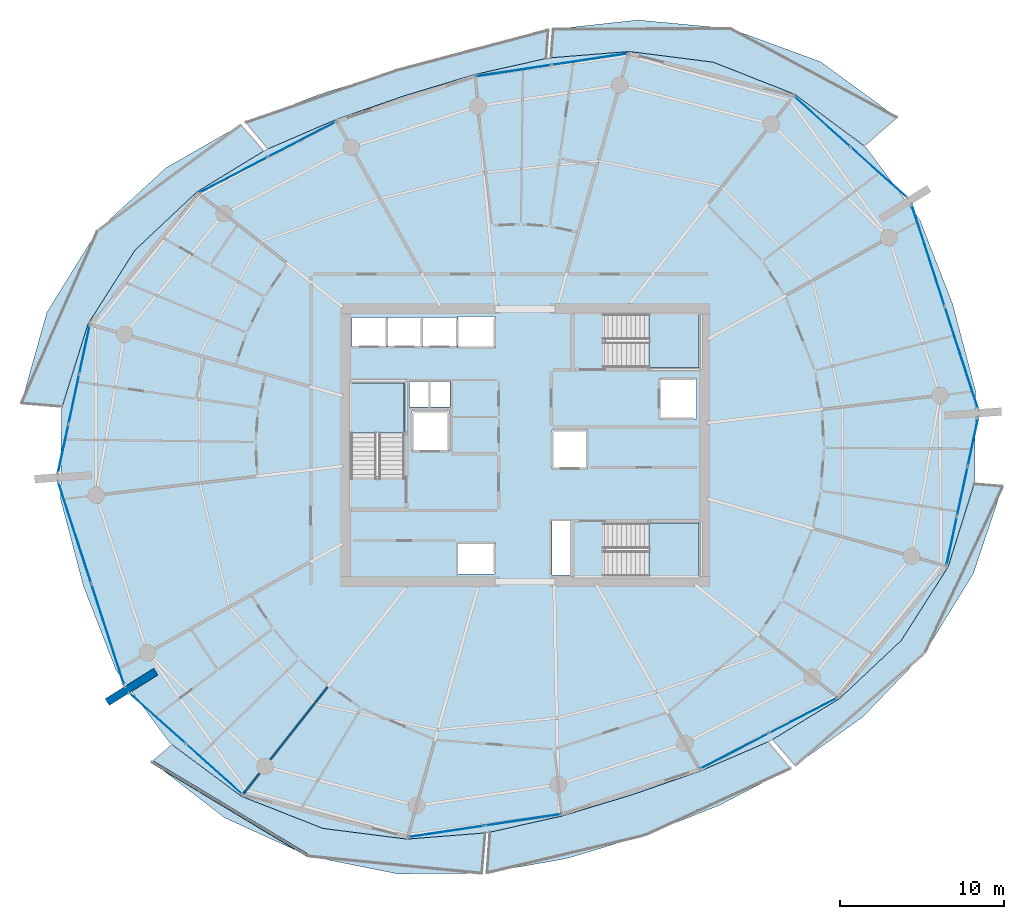
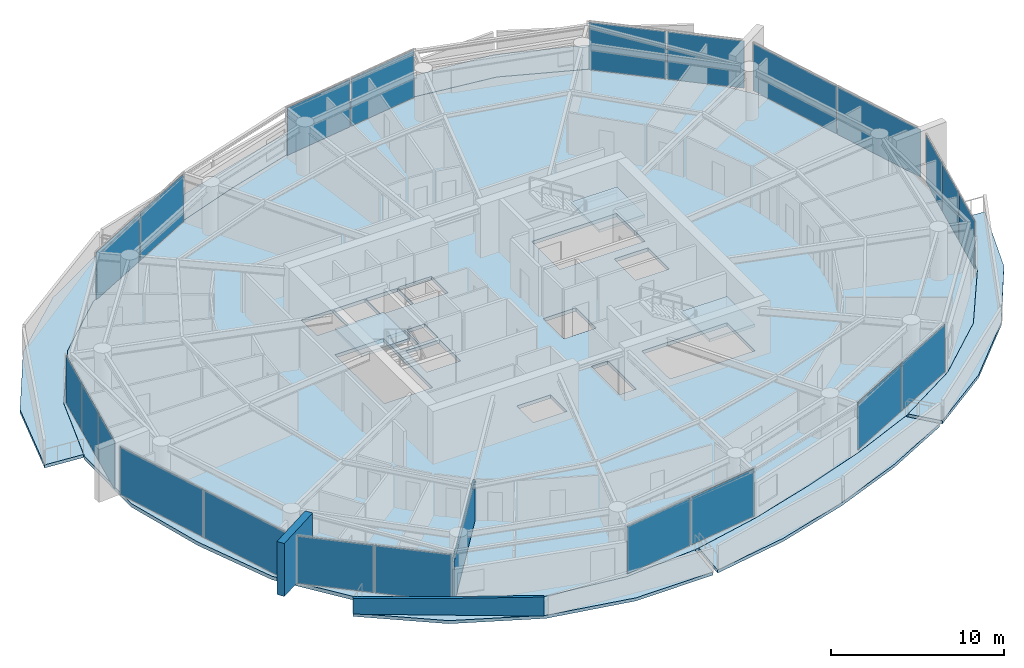
# One storey, part 9 of 19: 22 plates, 10 slabs, 3 walls, 13 elements without a shape of their own.
"""IFC4 building model written with IfcOpenShell, lengths in metres."""

from ifc_helpers import new_model, si_unit, direction, frame, frame_2d, origin, origin_2d, place, context, subcontext, project, spatial, polyline, rectangle, outline, extrude, material, layer, layer_set, type_object, element, aggregate, save


model = new_model("IFC4")

# Units and contexts
model_context = context("Model", 3, precision=1e-05, world=origin(), true_north=direction((0.0, 1.0)))
body_context = subcontext(model_context, "Body", "Model", "MODEL_VIEW")
ifc_project = project(units=[si_unit("LENGTHUNIT", "METRE"), si_unit("AREAUNIT", "SQUARE_METRE"), si_unit("VOLUMEUNIT", "CUBIC_METRE"), si_unit("PLANEANGLEUNIT", "RADIAN"), si_unit("MASSUNIT", "GRAM", prefix="KILO")], contexts=[model_context])

# Site, building, storey
site_placement = place(None, origin())
site = spatial("IfcSite", under=ifc_project, at=site_placement, CompositionType="ELEMENT")
building_placement = place(site_placement, origin())
building = spatial("IfcBuilding", under=site, at=building_placement, Name="Kazma Halo Residences", CompositionType="ELEMENT")
storey_placement = place(building_placement, frame((0.0, 0.0, 199.050048828125)))
storey = spatial("IfcBuildingStorey", under=building, at=storey_placement, Name="L50", CompositionType="ELEMENT", Elevation=199.050048828125)

# Curtain wall, plates
ifc_material_1 = material(Name="Aluminium AW-6063 T6 and Triple-Silver Low-E Glass", Category="aluminium")
ifc_layer_1 = layer(ifc_material_1, 0.219970703125)
ifc_layer_set_1 = layer_set([ifc_layer_1], Name="Aluminium AW-6063 T6 and Triple-Silver Low-E Glass")
curtain_wall_type = type_object("IfcCurtainWallType", Name="CW-SYS-4", PredefinedType="NOTDEFINED", material=ifc_layer_set_1)
curtain_wall_1_placement = place(storey_placement, origin())
curtain_wall_1 = element("IfcCurtainWall", 1, at=curtain_wall_1_placement, inside=storey, type_object=curtain_wall_type, Name="L50 unitised curtain wall B01", PredefinedType="NOTDEFINED")
ifc_material_2 = material(Name="Clear Triple-Silver Low-E Glass IGU", Category="glass")
ifc_layer_2 = layer(ifc_material_2, 0.033935546875)
ifc_layer_set_2 = layer_set([ifc_layer_2], Name="Clear Triple-Silver Low-E Glass IGU")
plate_type = type_object("IfcPlateType", Name="CW-SYS-4-PNL", PredefinedType="CURTAIN_PANEL", material=ifc_layer_set_2)
plate_1_placement = place(storey_placement, frame((70.001220703125, 58.669677734375, 0.074951171875), z_axis=(0.0, 0.0, 1.0), x_axis=(-0.744354814723, 0.667784328806, 0.0)))
plate_1 = element("IfcPlate", 2, at=plate_1_placement, type_object=plate_type, Name="CWS-4 panel 1.1", PredefinedType="CURTAIN_PANEL", context=body_context, shape_type="SweptSolid", body=[
    extrude(rectangle(XDim=4.5478515625, YDim=0.033935546875, at=origin_2d()), origin(), (0.0, 0.0, 1.0), 3.35009765625),
])
plate_2_placement = place(storey_placement, frame((66.56005859375, 61.7568359375, 0.074951171875), z_axis=(0.0, 0.0, 1.0), x_axis=(-0.744354814723, 0.667784328806, 0.0)))
plate_2 = element("IfcPlate", 3, at=plate_2_placement, type_object=plate_type, Name="CWS-4 panel 2.1", PredefinedType="CURTAIN_PANEL", context=body_context, shape_type="SweptSolid", body=[
    extrude(rectangle(XDim=4.5478515625, YDim=0.033935546875, at=origin_2d()), origin(), (0.0, 0.0, 1.0), 3.35009765625),
])
aggregate(curtain_wall_1, [plate_1, plate_2])

curtain_wall_2_placement = place(storey_placement, origin())
curtain_wall_2 = element("IfcCurtainWall", 4, at=curtain_wall_2_placement, inside=storey, type_object=curtain_wall_type, Name="L50 unitised curtain wall B03", PredefinedType="NOTDEFINED")
plate_3_placement = place(storey_placement, frame((52.375, 65.562255859375, 0.074951171875), z_axis=(0.0, 0.0, 1.0), x_axis=(-0.988871428361, -0.148772639188, 0.0)))
plate_3 = element("IfcPlate", 5, at=plate_3_placement, type_object=plate_type, Name="CWS-4 panel 1.1", PredefinedType="CURTAIN_PANEL", context=body_context, shape_type="SweptSolid", body=[
    extrude(rectangle(XDim=4.64501953125, YDim=0.033935546875, at=origin_2d()), origin(), (0.0, 0.0, 1.0), 3.35009765625),
])
plate_4_placement = place(storey_placement, frame((47.70751953125, 64.860107421875, 0.074951171875), z_axis=(0.0, 0.0, 1.0), x_axis=(-0.988871428361, -0.148772639188, 0.0)))
plate_4 = element("IfcPlate", 6, at=plate_4_placement, type_object=plate_type, Name="CWS-4 panel 2.1", PredefinedType="CURTAIN_PANEL", context=body_context, shape_type="SweptSolid", body=[
    extrude(rectangle(XDim=4.64501953125, YDim=0.033935546875, at=origin_2d()), origin(), (0.0, 0.0, 1.0), 3.35009765625),
])
aggregate(curtain_wall_2, [plate_3, plate_4])

curtain_wall_3_placement = place(storey_placement, origin())
curtain_wall_3 = element("IfcCurtainWall", 7, at=curtain_wall_3_placement, inside=storey, type_object=curtain_wall_type, Name="L50 unitised curtain wall B05", PredefinedType="NOTDEFINED")
plate_5_placement = place(storey_placement, frame((34.7998046875, 60.666015625, 0.074951171875), z_axis=(0.0, 0.0, 1.0), x_axis=(-0.887465657575, -0.460873851097, 0.0)))
plate_5 = element("IfcPlate", 8, at=plate_5_placement, type_object=plate_type, Name="CWS-4 panel 1.1", PredefinedType="CURTAIN_PANEL", context=body_context, shape_type="SweptSolid", body=[
    extrude(rectangle(XDim=4.64501953125, YDim=0.033935546875, at=origin_2d()), origin(), (0.0, 0.0, 1.0), 3.35009765625),
])
plate_6_placement = place(storey_placement, frame((30.61083984375, 58.49072265625, 0.074951171875), z_axis=(0.0, 0.0, 1.0), x_axis=(-0.887465657575, -0.460873851097, 0.0)))
plate_6 = element("IfcPlate", 9, at=plate_6_placement, type_object=plate_type, Name="CWS-4 panel 2.1", PredefinedType="CURTAIN_PANEL", context=body_context, shape_type="SweptSolid", body=[
    extrude(rectangle(XDim=4.64501953125, YDim=0.033935546875, at=origin_2d()), origin(), (0.0, 0.0, 1.0), 3.35009765625),
])
aggregate(curtain_wall_3, [plate_5, plate_6])

curtain_wall_4_placement = place(storey_placement, origin())
curtain_wall_4 = element("IfcCurtainWall", 10, at=curtain_wall_4_placement, inside=storey, type_object=curtain_wall_type, Name="L50 unitised curtain wall B07", PredefinedType="NOTDEFINED")
plate_7_placement = place(storey_placement, frame((21.53466796875, 47.833740234375, 0.074951171875), z_axis=(0.0, 0.0, 1.0), x_axis=(-0.209689543175, -0.977768017212, 0.0)))
plate_7 = element("IfcPlate", 11, at=plate_7_placement, type_object=plate_type, Name="CWS-4 panel 1.1", PredefinedType="CURTAIN_PANEL", context=body_context, shape_type="SweptSolid", body=[
    extrude(rectangle(XDim=2.994384765625, YDim=0.033935546875, at=origin_2d()), origin(), (0.0, 0.0, 1.0), 3.35009765625),
])
plate_8_placement = place(storey_placement, frame((20.88720703125, 44.814208984375, 0.074951171875), z_axis=(0.0, 0.0, 1.0), x_axis=(-0.209689543175, -0.977768017212, 0.0)))
plate_8 = element("IfcPlate", 12, at=plate_8_placement, type_object=plate_type, Name="CWS-4 panel 2.1", PredefinedType="CURTAIN_PANEL", context=body_context, shape_type="SweptSolid", body=[
    extrude(rectangle(XDim=3.031982421875, YDim=0.033935546875, at=origin_2d()), origin(), (0.0, 0.0, 1.0), 3.35009765625),
])
plate_9_placement = place(storey_placement, frame((20.239501953125, 41.794677734375, 0.074951171875), z_axis=(0.0, 0.0, 1.0), x_axis=(-0.209689543175, -0.977768017212, 0.0)))
plate_9 = element("IfcPlate", 13, at=plate_9_placement, type_object=plate_type, Name="CWS-4 panel 3.1", PredefinedType="CURTAIN_PANEL", context=body_context, shape_type="SweptSolid", body=[
    extrude(rectangle(XDim=2.994384765625, YDim=0.033935546875, at=origin_2d()), origin(), (0.0, 0.0, 1.0), 3.35009765625),
])
aggregate(curtain_wall_4, [plate_7, plate_8, plate_9])

curtain_wall_5_placement = place(storey_placement, origin())
curtain_wall_5 = element("IfcCurtainWall", 14, at=curtain_wall_5_placement, inside=storey, type_object=curtain_wall_type, Name="L50 unitised curtain wall B08", PredefinedType="NOTDEFINED")
plate_10_placement = place(storey_placement, frame((20.942626953125, 36.658447265625, 0.074951171875), z_axis=(0.0, 0.0, 1.0), x_axis=(0.309015833038, -0.951056893636, 0.0)))
plate_10 = element("IfcPlate", 15, at=plate_10_placement, type_object=plate_type, Name="CWS-4 panel 1.1", PredefinedType="CURTAIN_PANEL", context=body_context, shape_type="SweptSolid", body=[
    extrude(rectangle(XDim=6.487060546875, YDim=0.033935546875, at=origin_2d()), origin(), (0.0, 0.0, 1.0), 3.35009765625),
])
plate_11_placement = place(storey_placement, frame((22.970458984375, 30.41748046875, 0.074951171875), z_axis=(0.0, 0.0, 1.0), x_axis=(0.309015833038, -0.951056893636, 0.0)))
plate_11 = element("IfcPlate", 16, at=plate_11_placement, type_object=plate_type, Name="CWS-4 panel 2.1", PredefinedType="CURTAIN_PANEL", context=body_context, shape_type="SweptSolid", body=[
    extrude(rectangle(XDim=6.487060546875, YDim=0.033935546875, at=origin_2d()), origin(), (0.0, 0.0, 1.0), 3.35009765625),
])
aggregate(curtain_wall_5, [plate_10, plate_11])

curtain_wall_6_placement = place(storey_placement, origin())
curtain_wall_6 = element("IfcCurtainWall", 17, at=curtain_wall_6_placement, inside=storey, type_object=curtain_wall_type, Name="L50 unitised curtain wall B09", PredefinedType="NOTDEFINED")
plate_12_placement = place(storey_placement, frame((25.998779296875, 25.330322265625, 0.074951171875), z_axis=(0.0, 0.0, 1.0), x_axis=(0.744354814723, -0.667784328806, 0.0)))
plate_12 = element("IfcPlate", 18, at=plate_12_placement, type_object=plate_type, Name="CWS-4 panel 1.1", PredefinedType="CURTAIN_PANEL", context=body_context, shape_type="SweptSolid", body=[
    extrude(rectangle(XDim=4.5478515625, YDim=0.033935546875, at=origin_2d()), origin(), (0.0, 0.0, 1.0), 3.35009765625),
])
plate_13_placement = place(storey_placement, frame((29.43994140625, 22.2431640625, 0.074951171875), z_axis=(0.0, 0.0, 1.0), x_axis=(0.744354814723, -0.667784328806, 0.0)))
plate_13 = element("IfcPlate", 19, at=plate_13_placement, type_object=plate_type, Name="CWS-4 panel 2.1", PredefinedType="CURTAIN_PANEL", context=body_context, shape_type="SweptSolid", body=[
    extrude(rectangle(XDim=4.5478515625, YDim=0.033935546875, at=origin_2d()), origin(), (0.0, 0.0, 1.0), 3.35009765625),
])
aggregate(curtain_wall_6, [plate_12, plate_13])

curtain_wall_7_placement = place(storey_placement, origin())
curtain_wall_7 = element("IfcCurtainWall", 20, at=curtain_wall_7_placement, inside=storey, type_object=curtain_wall_type, Name="L50 unitised curtain wall B11", PredefinedType="NOTDEFINED")
plate_14_placement = place(storey_placement, frame((43.625, 18.437744140625, 0.074951171875), z_axis=(0.0, 0.0, 1.0), x_axis=(0.988871428361, 0.148772639188, 0.0)))
plate_14 = element("IfcPlate", 21, at=plate_14_placement, type_object=plate_type, Name="CWS-4 panel 1.1", PredefinedType="CURTAIN_PANEL", context=body_context, shape_type="SweptSolid", body=[
    extrude(rectangle(XDim=4.64501953125, YDim=0.033935546875, at=origin_2d()), origin(), (0.0, 0.0, 1.0), 3.35009765625),
])
plate_15_placement = place(storey_placement, frame((48.29248046875, 19.139892578125, 0.074951171875), z_axis=(0.0, 0.0, 1.0), x_axis=(0.988871428361, 0.148772639188, 0.0)))
plate_15 = element("IfcPlate", 22, at=plate_15_placement, type_object=plate_type, Name="CWS-4 panel 2.1", PredefinedType="CURTAIN_PANEL", context=body_context, shape_type="SweptSolid", body=[
    extrude(rectangle(XDim=4.64501953125, YDim=0.033935546875, at=origin_2d()), origin(), (0.0, 0.0, 1.0), 3.35009765625),
])
aggregate(curtain_wall_7, [plate_14, plate_15])

curtain_wall_8_placement = place(storey_placement, origin())
curtain_wall_8 = element("IfcCurtainWall", 23, at=curtain_wall_8_placement, inside=storey, type_object=curtain_wall_type, Name="L50 unitised curtain wall B13", PredefinedType="NOTDEFINED")
plate_16_placement = place(storey_placement, frame((61.2001953125, 23.333984375, 0.074951171875), z_axis=(0.0, 0.0, 1.0), x_axis=(0.887465657575, 0.460873851097, 0.0)))
plate_16 = element("IfcPlate", 24, at=plate_16_placement, type_object=plate_type, Name="CWS-4 panel 1.1", PredefinedType="CURTAIN_PANEL", context=body_context, shape_type="SweptSolid", body=[
    extrude(rectangle(XDim=4.64501953125, YDim=0.033935546875, at=origin_2d()), origin(), (0.0, 0.0, 1.0), 3.35009765625),
])
plate_17_placement = place(storey_placement, frame((65.38916015625, 25.50927734375, 0.074951171875), z_axis=(0.0, 0.0, 1.0), x_axis=(0.887465657575, 0.460873851097, 0.0)))
plate_17 = element("IfcPlate", 25, at=plate_17_placement, type_object=plate_type, Name="CWS-4 panel 2.1", PredefinedType="CURTAIN_PANEL", context=body_context, shape_type="SweptSolid", body=[
    extrude(rectangle(XDim=4.64501953125, YDim=0.033935546875, at=origin_2d()), origin(), (0.0, 0.0, 1.0), 3.35009765625),
])
aggregate(curtain_wall_8, [plate_16, plate_17])

curtain_wall_9_placement = place(storey_placement, origin())
curtain_wall_9 = element("IfcCurtainWall", 26, at=curtain_wall_9_placement, inside=storey, type_object=curtain_wall_type, Name="L50 unitised curtain wall B15", PredefinedType="NOTDEFINED")
plate_18_placement = place(storey_placement, frame((74.46533203125, 36.166259765625, 0.074951171875), z_axis=(0.0, 0.0, 1.0), x_axis=(0.209689543175, 0.977768017212, 0.0)))
plate_18 = element("IfcPlate", 27, at=plate_18_placement, type_object=plate_type, Name="CWS-4 panel 1.1", PredefinedType="CURTAIN_PANEL", context=body_context, shape_type="SweptSolid", body=[
    extrude(rectangle(XDim=2.994384765625, YDim=0.033935546875, at=origin_2d()), origin(), (0.0, 0.0, 1.0), 3.35009765625),
])
plate_19_placement = place(storey_placement, frame((75.11279296875, 39.185791015625, 0.074951171875), z_axis=(0.0, 0.0, 1.0), x_axis=(0.209689543175, 0.977768017212, 0.0)))
plate_19 = element("IfcPlate", 28, at=plate_19_placement, type_object=plate_type, Name="CWS-4 panel 2.1", PredefinedType="CURTAIN_PANEL", context=body_context, shape_type="SweptSolid", body=[
    extrude(rectangle(XDim=3.031982421875, YDim=0.033935546875, at=origin_2d()), origin(), (0.0, 0.0, 1.0), 3.35009765625),
])
plate_20_placement = place(storey_placement, frame((75.760498046875, 42.205322265625, 0.074951171875), z_axis=(0.0, 0.0, 1.0), x_axis=(0.209689543175, 0.977768017212, 0.0)))
plate_20 = element("IfcPlate", 29, at=plate_20_placement, type_object=plate_type, Name="CWS-4 panel 3.1", PredefinedType="CURTAIN_PANEL", context=body_context, shape_type="SweptSolid", body=[
    extrude(rectangle(XDim=2.994384765625, YDim=0.033935546875, at=origin_2d()), origin(), (0.0, 0.0, 1.0), 3.35009765625),
])
aggregate(curtain_wall_9, [plate_18, plate_19, plate_20])

curtain_wall_10_placement = place(storey_placement, origin())
curtain_wall_10 = element("IfcCurtainWall", 30, at=curtain_wall_10_placement, inside=storey, type_object=curtain_wall_type, Name="L50 unitised curtain wall B16", PredefinedType="NOTDEFINED")
plate_21_placement = place(storey_placement, frame((75.057373046875, 47.341552734375, 0.074951171875), z_axis=(0.0, 0.0, 1.0), x_axis=(-0.309015833038, 0.951056893636, 0.0)))
plate_21 = element("IfcPlate", 31, at=plate_21_placement, type_object=plate_type, Name="CWS-4 panel 1.1", PredefinedType="CURTAIN_PANEL", context=body_context, shape_type="SweptSolid", body=[
    extrude(rectangle(XDim=6.487060546875, YDim=0.033935546875, at=origin_2d()), origin(), (0.0, 0.0, 1.0), 3.35009765625),
])
plate_22_placement = place(storey_placement, frame((73.029541015625, 53.58251953125, 0.074951171875), z_axis=(0.0, 0.0, 1.0), x_axis=(-0.309015833038, 0.951056893636, 0.0)))
plate_22 = element("IfcPlate", 32, at=plate_22_placement, type_object=plate_type, Name="CWS-4 panel 2.1", PredefinedType="CURTAIN_PANEL", context=body_context, shape_type="SweptSolid", body=[
    extrude(rectangle(XDim=6.487060546875, YDim=0.033935546875, at=origin_2d()), origin(), (0.0, 0.0, 1.0), 3.35009765625),
])
aggregate(curtain_wall_10, [plate_21, plate_22])

# Slabs
ifc_material_3 = material(Name="White Concrete C50/60", Category="concrete")
ifc_layer_3 = layer(ifc_material_3, 0.219970703125)
ifc_layer_set_3 = layer_set([ifc_layer_3], Name="White Concrete C50/60")
slab_type_1 = type_object("IfcSlabType", Name="SLB-BAL-WAVE-210", PredefinedType="FLOOR", material=ifc_layer_set_3)
slab_1_placement = place(storey_placement, frame((0.0, 0.0, -0.219970703125)))
element("IfcSlab", 33, at=slab_1_placement, inside=storey, type_object=slab_type_1, Name="L50 NE cantilevered wave balcony slab", PredefinedType="FLOOR", context=body_context, shape_type="SweptSolid", body=[
    extrude(outline(polyline([(69.130126953125, 60.271240234375), (64.88720703125, 63.421142578125), (59.913818359375, 65.382080078125), (54.779052734375, 66.036376953125), (50.007080078125, 65.656005859375), (50.155029296875, 67.39794921875), (55.32080078125, 67.9580078125), (60.95654296875, 67.4287109375), (66.45361328125, 65.408203125), (71.126220703125, 61.997314453125), (69.130126953125, 60.271240234375)])), origin(), (0.0, 0.0, 1.0), 0.219970703125),
])
slab_2_placement = place(storey_placement, frame((0.0, 0.0, -0.219970703125)))
element("IfcSlab", 34, at=slab_2_placement, inside=storey, type_object=slab_type_1, Name="L50 NNW cantilevered wave balcony slab", PredefinedType="FLOOR", context=body_context, shape_type="SweptSolid", body=[
    extrude(outline(polyline([(49.713134765625, 65.612060546875), (45.322265625, 64.62451171875), (41.066650390625, 63.338623046875), (36.867919921875, 61.877685546875), (32.735107421875, 60.095458984375), (31.38427734375, 61.697021484375), (35.98388671875, 63.4560546875), (40.56689453125, 64.876953125), (45.135498046875, 66.201416015625), (49.83837890625, 67.337890625), (49.713134765625, 65.612060546875)])), origin(), (0.0, 0.0, 1.0), 0.219970703125),
])
slab_3_placement = place(storey_placement, frame((0.0, 0.0, -0.219970703125)))
element("IfcSlab", 35, at=slab_3_placement, inside=storey, type_object=slab_type_1, Name="L50 NW cantilevered wave balcony slab", PredefinedType="FLOOR", context=body_context, shape_type="SweptSolid", body=[
    extrude(outline(polyline([(32.471435546875, 59.958251953125), (28.387451171875, 57.461181640625), (24.617919921875, 53.913818359375), (21.7470703125, 49.404052734375), (20.165771484375, 44.36181640625), (17.681396484375, 44.572509765625), (19.23681640625, 50.112060546875), (22.320556640625, 55.084228515625), (26.512939453125, 58.93896484375), (31.085693359375, 61.560791015625), (32.471435546875, 59.958251953125)])), origin(), (0.0, 0.0, 1.0), 0.219970703125),
])
slab_4_placement = place(storey_placement, frame((0.0, 0.0, -0.219970703125)))
element("IfcSlab", 36, at=slab_4_placement, inside=storey, type_object=slab_type_1, Name="L50 SW cantilevered wave balcony slab", PredefinedType="FLOOR", context=body_context, shape_type="SweptSolid", body=[
    extrude(outline(polyline([(26.869873046875, 23.728759765625), (31.11279296875, 20.578857421875), (36.086181640625, 18.617919921875), (41.220947265625, 17.963623046875), (45.992919921875, 18.343994140625), (45.783935546875, 15.8828125), (40.6240234375, 15.8466796875), (35.22412109375, 16.926025390625), (30.081787109375, 19.270751953125), (25.66015625, 22.682861328125), (26.869873046875, 23.728759765625)])), origin(), (0.0, 0.0, 1.0), 0.219970703125),
])
slab_5_placement = place(storey_placement, frame((0.0, 0.0, -0.219970703125)))
element("IfcSlab", 37, at=slab_5_placement, inside=storey, type_object=slab_type_1, Name="L50 SSE cantilevered wave balcony slab", PredefinedType="FLOOR", context=body_context, shape_type="SweptSolid", body=[
    extrude(outline(polyline([(46.286865234375, 18.387939453125), (50.677734375, 19.37548828125), (54.933349609375, 20.661376953125), (59.132080078125, 22.122314453125), (63.264892578125, 23.904541015625), (64.6279296875, 22.28857421875), (60.29833984375, 20.039794921875), (55.72998046875, 18.209228515625), (50.984375, 16.785400390625), (46.107421875, 15.91552734375), (46.286865234375, 18.387939453125)])), origin(), (0.0, 0.0, 1.0), 0.219970703125),
])
slab_6_placement = place(storey_placement, frame((0.0, 0.0, -0.219970703125)))
element("IfcSlab", 38, at=slab_6_placement, inside=storey, type_object=slab_type_1, Name="L50 SE cantilevered wave balcony slab", PredefinedType="FLOOR", context=body_context, shape_type="SweptSolid", body=[
    extrude(outline(polyline([(63.528564453125, 24.041748046875), (67.612548828125, 26.538818359375), (71.382080078125, 30.086181640625), (74.2529296875, 34.595947265625), (75.834228515625, 39.63818359375), (77.572509765625, 39.49072265625), (75.781494140625, 34.164794921875), (72.8232421875, 29.351806640625), (69.033203125, 25.418701171875), (64.90185546875, 22.45361328125), (63.528564453125, 24.041748046875)])), origin(), (0.0, 0.0, 1.0), 0.219970703125),
])
ifc_material_4 = material(Name="Concrete C50/60", Category="concrete")
ifc_layer_4 = layer(ifc_material_4, 0.25)
ifc_layer_set_4 = layer_set([ifc_layer_4], Name="Concrete C50/60")
slab_type_2 = type_object("IfcSlabType", Name="SLB-RES-250", PredefinedType="FLOOR", material=ifc_layer_set_4)
slab_7_placement = place(storey_placement, frame((0.0, 0.0, -0.25)))
element("IfcSlab", 39, at=slab_7_placement, inside=storey, type_object=slab_type_2, Name="L50 structural floor slab", PredefinedType="FLOOR", context=body_context, shape_type="SweptSolid", body=[
    extrude(outline(polyline([(74.521484375, 50.617431640625), (72.531982421875, 55.738525390625), (69.2587890625, 60.156494140625), (64.8857421875, 63.41943359375), (59.912841796875, 65.380126953125), (54.7783203125, 66.034423828125), (49.860595703125, 65.64111328125), (45.322509765625, 64.62255859375), (41.0673828125, 63.336669921875), (36.868896484375, 61.875732421875), (32.598876953125, 60.032470703125), (28.388916015625, 57.460205078125), (24.619873046875, 53.912841796875), (21.7490234375, 49.403564453125), (20.129150390625, 44.193603515625), (20.07763671875, 38.6953125), (21.478515625, 33.382568359375), (23.468017578125, 28.261474609375), (26.7412109375, 23.843505859375), (31.1142578125, 20.58056640625), (36.087158203125, 18.619873046875), (41.2216796875, 17.965576171875), (46.139404296875, 18.35888671875), (50.677490234375, 19.37744140625), (54.9326171875, 20.663330078125), (59.131103515625, 22.124267578125), (63.401123046875, 23.967529296875), (67.611083984375, 26.539794921875), (71.380126953125, 30.087158203125), (74.2509765625, 34.596435546875), (75.870849609375, 39.806396484375), (75.92236328125, 45.3046875), (74.521484375, 50.617431640625)]), holes=[polyline([(37.800048828125, 40.110107421875), (41.050048828125, 40.110107421875), (41.050048828125, 45.800048828125), (37.800048828125, 45.800048828125), (37.800048828125, 40.110107421875)]), polyline([(53.360107421875, 46.75), (59.050048828125, 46.75), (59.050048828125, 50.0), (53.360107421875, 50.0), (53.360107421875, 46.75)]), polyline([(53.360107421875, 34.0), (59.050048828125, 34.0), (59.050048828125, 37.25), (53.360107421875, 37.25), (53.360107421875, 34.0)]), polyline([(41.52001953125, 41.6201171875), (43.780029296875, 41.6201171875), (43.780029296875, 44.080078125), (41.52001953125, 44.080078125), (41.52001953125, 41.6201171875)]), polyline([(56.6201171875, 43.6201171875), (58.8798828125, 43.6201171875), (58.8798828125, 46.080078125), (56.6201171875, 46.080078125), (56.6201171875, 43.6201171875)]), polyline([(37.864990234375, 47.9951171875), (39.97509765625, 47.9951171875), (39.97509765625, 49.804931640625), (37.864990234375, 49.804931640625), (37.864990234375, 47.9951171875)]), polyline([(40.014892578125, 47.9951171875), (42.125, 47.9951171875), (42.125, 49.804931640625), (40.014892578125, 49.804931640625), (40.014892578125, 47.9951171875)]), polyline([(42.1650390625, 47.9951171875), (44.27490234375, 47.9951171875), (44.27490234375, 49.804931640625), (42.1650390625, 49.804931640625), (42.1650390625, 47.9951171875)]), polyline([(44.320068359375, 47.945068359375), (46.580078125, 47.945068359375), (46.580078125, 49.85498046875), (44.320068359375, 49.85498046875), (44.320068359375, 47.945068359375)]), polyline([(44.320068359375, 34.14501953125), (46.580078125, 34.14501953125), (46.580078125, 36.054931640625), (44.320068359375, 36.054931640625), (44.320068359375, 34.14501953125)]), polyline([(50.070068359375, 40.570068359375), (52.22998046875, 40.570068359375), (52.22998046875, 42.929931640625), (50.070068359375, 42.929931640625), (50.070068359375, 40.570068359375)]), polyline([(41.360107421875, 44.340087890625), (42.5400390625, 44.340087890625), (42.5400390625, 45.89990234375), (41.360107421875, 45.89990234375), (41.360107421875, 44.340087890625)]), polyline([(42.659912109375, 44.340087890625), (43.840087890625, 44.340087890625), (43.840087890625, 45.89990234375), (42.659912109375, 45.89990234375), (42.659912109375, 44.340087890625)]), polyline([(50.06005859375, 34.080078125), (51.159912109375, 34.080078125), (51.159912109375, 37.3798828125), (50.06005859375, 37.3798828125), (50.06005859375, 34.080078125)])]), origin(), (0.0, 0.0, 1.0), 0.25),
])

# Stair, slab
stair_type = type_object("IfcStairType", Name="STR-RES1", PredefinedType="HALF_TURN_STAIR", material=ifc_material_4)
stair_1_placement = place(storey_placement, origin())
stair_1 = element("IfcStair", 40, at=stair_1_placement, inside=storey, type_object=stair_type, Name="L50 Core exit stair ST-01", PredefinedType="HALF_TURN_STAIR")
ifc_layer_5 = layer(ifc_material_4, 0.199951171875)
ifc_layer_set_5 = layer_set([ifc_layer_5], Name="Concrete C50/60")
slab_type_3 = type_object("IfcSlabType", Name="SLB-STAIR-LND-200", PredefinedType="LANDING", material=ifc_layer_set_5)
slab_8_placement = place(storey_placement, frame((0.0, 0.0, 1.675048828125)))
slab_8 = element("IfcSlab", 41, at=slab_8_placement, type_object=slab_type_3, Name="ST-01 landing 1", PredefinedType="LANDING", context=body_context, shape_type="SweptSolid", body=[
    extrude(outline(polyline([(41.050048828125, 42.75), (41.050048828125, 45.800048828125), (37.800048828125, 45.800048828125), (37.800048828125, 42.75), (41.050048828125, 42.75)])), origin(), (0.0, 0.0, 1.0), 0.199951171875),
])
aggregate(stair_1, [slab_8])

stair_2_placement = place(storey_placement, origin())
stair_2 = element("IfcStair", 42, at=stair_2_placement, inside=storey, type_object=stair_type, Name="L50 Core exit stair ST-02", PredefinedType="HALF_TURN_STAIR")
slab_9_placement = place(storey_placement, frame((0.0, 0.0, 1.675048828125)))
slab_9 = element("IfcSlab", 43, at=slab_9_placement, type_object=slab_type_3, Name="ST-02 landing 1", PredefinedType="LANDING", context=body_context, shape_type="SweptSolid", body=[
    extrude(outline(polyline([(56.0, 46.75), (59.050048828125, 46.75), (59.050048828125, 50.0), (56.0, 50.0), (56.0, 46.75)])), origin(), (0.0, 0.0, 1.0), 0.199951171875),
])
aggregate(stair_2, [slab_9])

stair_3_placement = place(storey_placement, origin())
stair_3 = element("IfcStair", 44, at=stair_3_placement, inside=storey, type_object=stair_type, Name="L50 Core exit stair ST-03", PredefinedType="HALF_TURN_STAIR")
slab_10_placement = place(storey_placement, frame((0.0, 0.0, 1.675048828125)))
slab_10 = element("IfcSlab", 45, at=slab_10_placement, type_object=slab_type_3, Name="ST-03 landing 1", PredefinedType="LANDING", context=body_context, shape_type="SweptSolid", body=[
    extrude(outline(polyline([(56.0, 34.0), (59.050048828125, 34.0), (59.050048828125, 37.25), (56.0, 37.25), (56.0, 34.0)])), origin(), (0.0, 0.0, 1.0), 0.199951171875),
])
aggregate(stair_3, [slab_10])

# Walls
ifc_material_5 = material(Name="White Concrete C50/60 Balustrade", Category="concrete")
ifc_layer_6 = layer(ifc_material_5, 0.179931640625)
ifc_layer_set_6 = layer_set([ifc_layer_6], Name="White Concrete C50/60 Balustrade")
wall_type_1 = type_object("IfcWallType", Name="WL-BAL-WAVE-180", PredefinedType="PARAPET", material=ifc_layer_set_6)
wall_1_placement = place(storey_placement, frame((25.66015625, 22.682861328125, 0.0), z_axis=(0.0, 0.0, 1.0), x_axis=(0.856758582714, -0.515717685314, 0.0)))
element("IfcWall", 46, at=wall_1_placement, inside=storey, type_object=wall_type_1, Name="L50 white wave balustrade wall SW.1", PredefinedType="PARAPET", context=body_context, shape_type="SweptSolid", body=[
    extrude(outline(polyline([(0.0, 0.0), (11.04296875, 0.0), (11.042724609375, 1.347900390625), (5.521484375, 1.181884765625), (0.0, 1.119873046875), (0.0, 0.0)])), frame((0.0, 0.08984375, 0.0), z_axis=(0.0, -1.0, 0.0), x_axis=(1.0, 0.0, 0.0)), (0.0, 0.0, 1.0), 0.179931640625),
])
ifc_material_6 = material(Name="Pale Concrete C60/75", Category="concrete")
ifc_layer_7 = layer(ifc_material_6, 0.47998046875)
ifc_layer_set_7 = layer_set([ifc_layer_7], Name="Pale Concrete C60/75")
wall_type_2 = type_object("IfcWallType", Name="WL-BLADE-480", PredefinedType="SOLIDWALL", material=ifc_layer_set_7)
wall_2_placement = place(storey_placement, frame((25.88623046875, 28.181884765625, 0.0), z_axis=(0.0, 0.0, 1.0), x_axis=(-0.848033572426, -0.529942506352, 0.0)))
element("IfcWall", 47, at=wall_2_placement, inside=storey, type_object=wall_type_2, Name="L50 pale concrete structural blade fin wall BW-03", PredefinedType="SOLIDWALL", context=body_context, shape_type="SweptSolid", body=[
    extrude(rectangle(XDim=3.5, YDim=0.47998046875, at=frame_2d((1.75, 0.0))), origin(), (0.0, 0.0, 1.0), 3.75),
])
ifc_material_7 = material(Name="Gypsum Plasterboard Partition")
ifc_layer_8 = layer(ifc_material_7, 0.125)
ifc_layer_set_8 = layer_set([ifc_layer_8], Name="Gypsum Plasterboard Partition")
wall_type_3 = type_object("IfcWallType", Name="WL-PART-125", PredefinedType="PARTITIONING", material=ifc_layer_set_8)
wall_3_placement = place(storey_placement, frame((36.375244140625, 27.254150390625, 0.0), z_axis=(0.0, 0.0, 1.0), x_axis=(-0.619083134383, -0.785325456561, 0.0)))
element("IfcWall", 48, at=wall_3_placement, inside=storey, type_object=wall_type_3, Name="L50 Apartment 4 radial partition 9", PredefinedType="PARTITIONING", context=body_context, shape_type="SweptSolid", body=[
    extrude(rectangle(XDim=8.353271484375, YDim=0.125, at=frame_2d((4.1767578125, 0.0))), origin(), (0.0, 0.0, 1.0), 2.93994140625),
])

save(model, "model.ifc")
